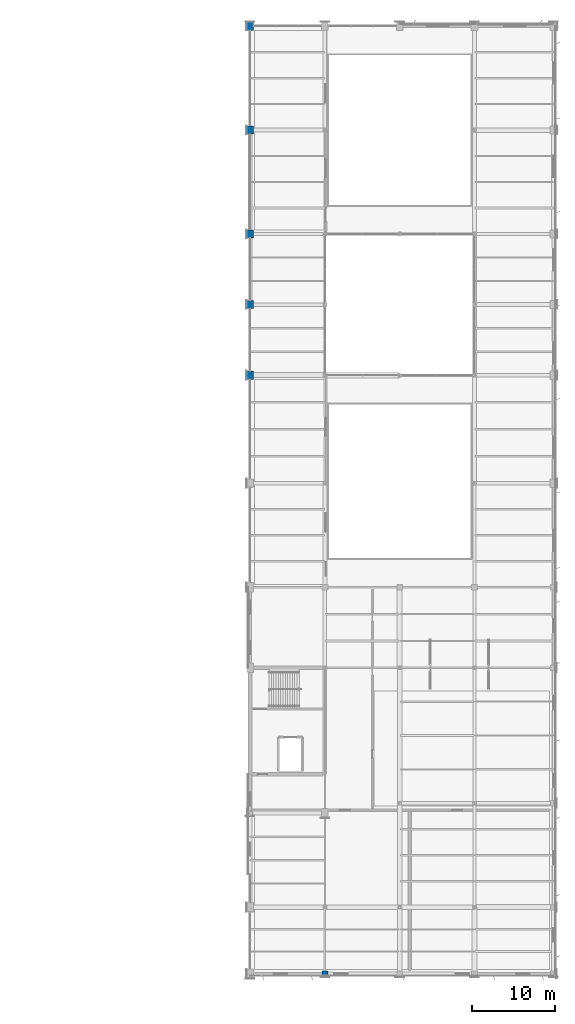
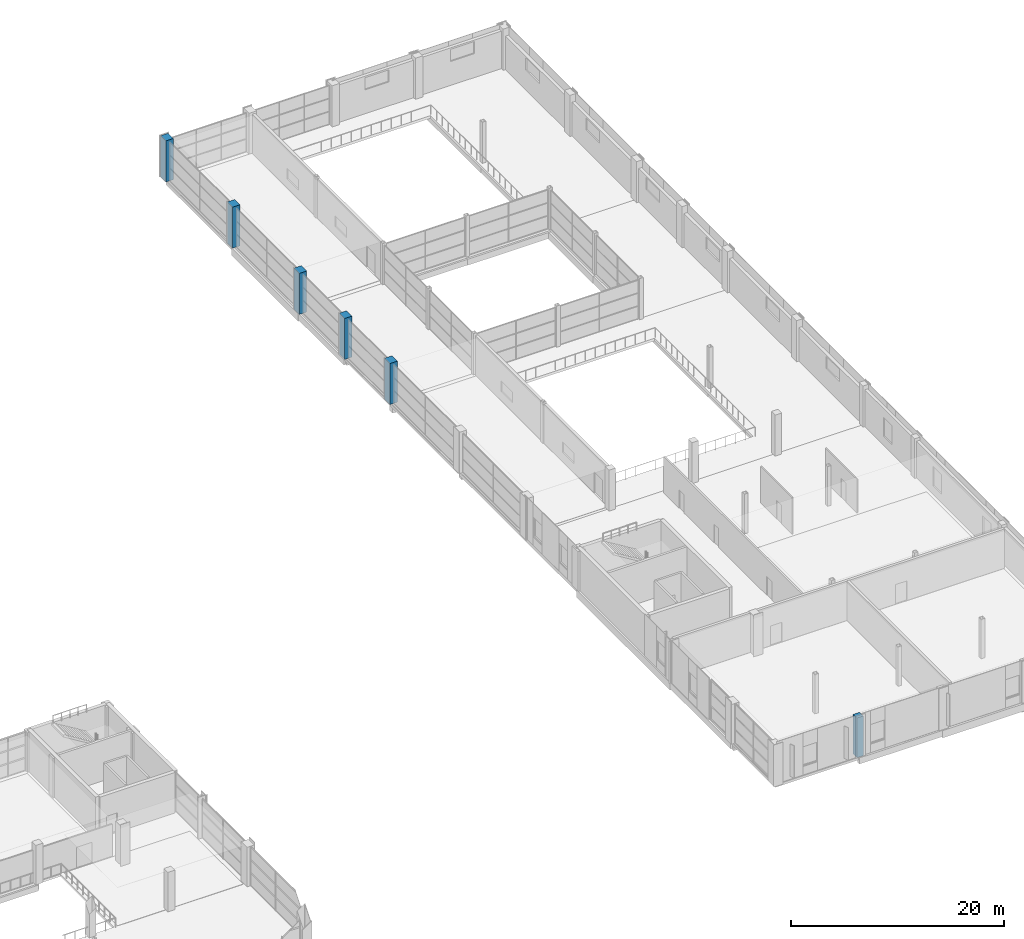
# One storey, part 6 of 112: 6 columns.
"""IFC4 building model written with IfcOpenShell, lengths in metres."""

from ifc_helpers import new_model, si_unit, direction, frame, origin, origin_2d, place, context, subcontext, project, spatial, rectangle, extrude, material, material_profile, profile_set, type_object, element, save


model = new_model("IFC4")

# Units and contexts
model_context = context("Model", 3, precision=1e-05, world=origin(), true_north=direction((0.0, 1.0)))
body_context = subcontext(model_context, "Body", "Model", "MODEL_VIEW")
ifc_project = project(units=[si_unit("LENGTHUNIT", "METRE"), si_unit("AREAUNIT", "SQUARE_METRE"), si_unit("VOLUMEUNIT", "CUBIC_METRE"), si_unit("PLANEANGLEUNIT", "RADIAN"), si_unit("MASSUNIT", "GRAM", prefix="KILO")], contexts=[model_context])

# Site, building, storey
site_placement = place(None, origin())
site = spatial("IfcSite", under=ifc_project, at=site_placement, CompositionType="ELEMENT")
building_placement = place(site_placement, origin())
building = spatial("IfcBuilding", under=site, at=building_placement, Name="Solvikara Media Centre", CompositionType="ELEMENT")
storey_placement = place(building_placement, frame((0.0, 0.0, 5.39990234375)))
storey = spatial("IfcBuildingStorey", under=building, at=storey_placement, Name="L01", CompositionType="ELEMENT", Elevation=5.39990234375)

# Columns
ifc_material = material(Name="Concrete fc' 45 MPa (C45/55)", Category="concrete")
ifc_material_profile_1 = material_profile(ifc_material, rectangle(XDim=0.699951171875, YDim=0.699951171875, at=origin_2d()), Name="RC 700x700")
ifc_profile_set_1 = profile_set([ifc_material_profile_1], Name="Concrete fc' 45 MPa (C45/55)")
column_type_1 = type_object("IfcColumnType", Name="CL-15", PredefinedType="COLUMN", material=ifc_profile_set_1)
column_placement = place(storey_placement, frame((136.5, 0.0, 0.0), z_axis=(0.0, 0.0, 1.0), x_axis=(1.0, 0.0, 0.0)))
element("IfcColumn", 1, at=column_placement, inside=storey, type_object=column_type_1, Name="C-L01-1365-0000", PredefinedType="COLUMN", context=body_context, shape_type="SweptSolid", body=[
    extrude(rectangle(XDim=0.699951171875, YDim=0.699951171875, at=origin_2d()), origin(), (0.0, 0.0, 1.0), 4.5400390625),
])
ifc_material_profile_2 = material_profile(ifc_material, rectangle(XDim=0.800048828125, YDim=1.0, at=origin_2d()), Name="RC 800x1000")
ifc_profile_set_2 = profile_set([ifc_material_profile_2], Name="Concrete fc' 45 MPa (C45/55)")
column_type_2 = type_object("IfcColumnType", Name="CL-16", PredefinedType="COLUMN", material=ifc_profile_set_2)
for number, where, z_axis, x_axis, name in (
    (2, (127.5, 72.0, 0.0), (0.0, 0.0, 1.0), (1.0, 0.0, 0.0), "C-L01-1275-0720"),
    (3, (127.5, 80.5, 0.0), (0.0, 0.0, 1.0), (1.0, 0.0, 0.0), "C-L01-1275-0805"),
    (4, (127.5, 89.0, 0.0), (0.0, 0.0, 1.0), (1.0, 0.0, 0.0), "C-L01-1275-0890"),
    (5, (127.5, 101.5, 0.0), (0.0, 0.0, 1.0), (1.0, 0.0, 0.0), "C-L01-1275-1015"),
    (6, (127.5, 114.0, 0.0), (0.0, 0.0, 1.0), (1.0, 0.0, 0.0), "C-L01-1275-1140"),
):
    element("IfcColumn", number, at=place(storey_placement, frame(where, z_axis=z_axis, x_axis=x_axis)), inside=storey, type_object=column_type_2, Name=name, PredefinedType="COLUMN", context=body_context, shape_type="SweptSolid", body=[
        extrude(rectangle(XDim=0.800048828125, YDim=1.0, at=origin_2d()), origin(), (0.0, 0.0, 1.0), 4.7001953125),
    ])

save(model, "model.ifc")
